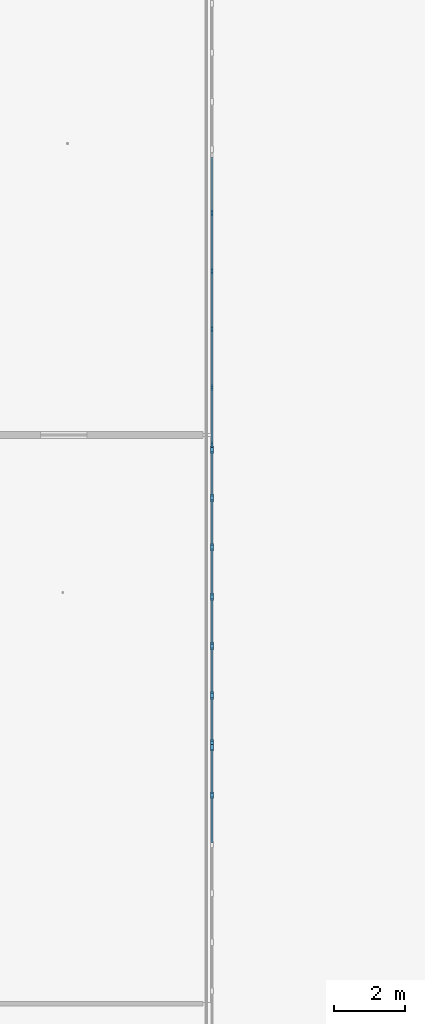
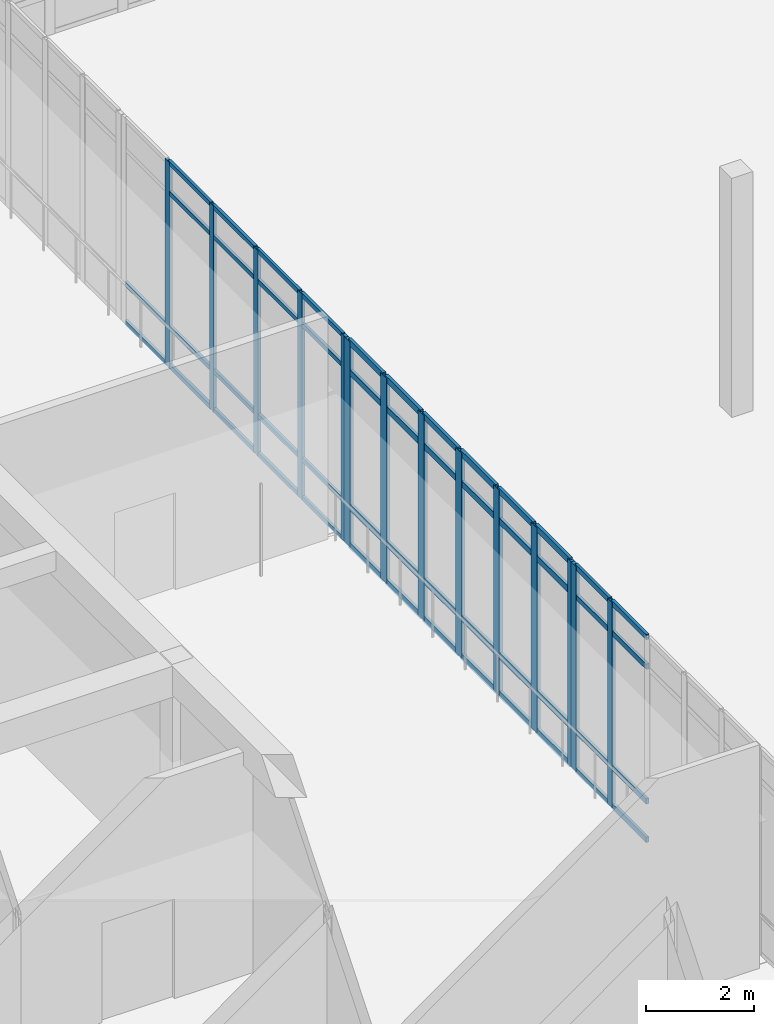
# One storey, part 23 of 157: 64 members, 3 elements without a shape of their own.
"""IFC4 building model written with IfcOpenShell, lengths in metres."""

import ifcopenshell
import ifcopenshell.guid

model = None  # the IFC model being written
_history = None  # IfcOwnerHistory: only IFC2X3 demands one
_inside = {}  # id of a spatial element -> (the spatial element, [elements in it])
_under = {}  # id of a project, library or spatial element -> (it, [spatial elements below it])
_declared = {}  # id of a project -> (the project, [libraries it declares])
_typed = {}  # id of a type object -> (the type object, [elements of that type])
_made_of = {}  # id of a material, layer set ... -> (it, [elements and type objects made of it])


def new_model(schema):
    """Start an empty IFC model of exactly this schema.

    Asked for "IFC4X3", IfcOpenShell would pick the latest addendum, in which some entities
    have other attributes; the version numbers below select the first issue.
    IFC2X3 requires an IfcOwnerHistory on every rooted entity: one is made here for all.
    """
    global model, _history
    if schema == "IFC4X3":
        model = ifcopenshell.file(schema_version=(4, 3, 0, 0))
    else:
        model = ifcopenshell.file(schema=schema)
    _inside.clear()
    _under.clear()
    _declared.clear()
    _typed.clear()
    _made_of.clear()
    _history = None
    if model.schema == "IFC2X3":
        org = make("IfcOrganization", Name="unknown")
        user = make(
            "IfcPersonAndOrganization",
            ThePerson=make("IfcPerson", FamilyName="unknown"),
            TheOrganization=org,
        )
        app = make(
            "IfcApplication",
            ApplicationDeveloper=org,
            Version="unknown",
            ApplicationFullName="unknown",
            ApplicationIdentifier="unknown",
        )
        _history = make(
            "IfcOwnerHistory",
            OwningUser=user,
            OwningApplication=app,
            ChangeAction="ADDED",
            CreationDate=0,
        )
    return model


def make(cls, **values):
    """One entity of the class cls with the attributes given. An attribute that is None is left unset."""
    return model.create_entity(
        cls, **{name: value for name, value in values.items() if value is not None}
    )


def rooted(cls, **values):
    """An entity with a GlobalId (a new one), such as an element, a storey or a relation."""
    return make(cls, GlobalId=ifcopenshell.guid.new(), OwnerHistory=_history, **values)


def si_unit(unit_type, name, prefix=None):
    """IfcSIUnit, for example si_unit("LENGTHUNIT", "METRE", prefix="MILLI")."""
    return make("IfcSIUnit", UnitType=unit_type, Prefix=prefix, Name=name)


def assignment(units):
    """IfcUnitAssignment: the units of a project."""
    return None if units is None else make("IfcUnitAssignment", Units=units)


def point(xyz):
    """IfcCartesianPoint."""
    return None if xyz is None else make("IfcCartesianPoint", Coordinates=xyz)


def direction(xyz):
    """IfcDirection."""
    return None if xyz is None else make("IfcDirection", DirectionRatios=xyz)


def frame(location, z_axis=None, x_axis=None):
    """IfcAxis2Placement3D, a coordinate frame: its origin and axes. An axis left out is left unset."""
    return make(
        "IfcAxis2Placement3D",
        Location=point(location),
        Axis=direction(z_axis),
        RefDirection=direction(x_axis),
    )


def frame_2d(location, x_axis=None):
    """IfcAxis2Placement2D, a coordinate frame in the plane: its origin and x axis."""
    return make(
        "IfcAxis2Placement2D", Location=point(location), RefDirection=direction(x_axis)
    )


def origin():
    """The frame at (0, 0, 0) with its axes left unset."""
    return frame((0.0, 0.0, 0.0))


def origin_2d():
    """The frame at (0, 0) in the plane with its x axis left unset."""
    return frame_2d((0.0, 0.0))


def place(relative_to, where):
    """IfcLocalPlacement: puts the frame where relative to a parent placement (None: the world)."""
    return make(
        "IfcLocalPlacement", PlacementRelTo=relative_to, RelativePlacement=where
    )


def context(
    kind, dimensions, precision=None, world=None, true_north=None, identifier=None
):
    """IfcGeometricRepresentationContext, for example the 3D "Model" context."""
    return make(
        "IfcGeometricRepresentationContext",
        ContextIdentifier=identifier,
        ContextType=kind,
        CoordinateSpaceDimension=dimensions,
        Precision=precision,
        WorldCoordinateSystem=world,
        TrueNorth=true_north,
    )


def subcontext(parent, identifier, kind, view, scale=None):
    """IfcGeometricRepresentationSubContext, for example "Body" below "Model"."""
    return make(
        "IfcGeometricRepresentationSubContext",
        ContextIdentifier=identifier,
        ContextType=kind,
        ParentContext=parent,
        TargetScale=scale,
        TargetView=view,
    )


def project(units=None, contexts=None):
    """IfcProject with its units and contexts."""
    return rooted(
        "IfcProject",
        Name="project",
        RepresentationContexts=contexts,
        UnitsInContext=assignment(units),
    )


def spatial(cls, under=None, at=None, **own):
    """A site, building, storey or space (cls), placed at a placement, below another one or the project."""
    s = rooted(cls, ObjectPlacement=at, **own)
    if under is not None:
        _under.setdefault(under.id(), (under, []))[1].append(s)
    return s


def profile(cls, at=None, kind="AREA", **sizes):
    """A parametric profile (cls). Its sizes go by their IFC names, for example OverallWidth=200.0."""
    return make(cls, ProfileType=kind, Position=at, **sizes)


def rectangle(**sizes):
    """IfcRectangleProfileDef."""
    return profile("IfcRectangleProfileDef", **sizes)


def extrude(swept, where, along, depth):
    """IfcExtrudedAreaSolid: the profile swept, set in the frame where, extruded along a direction by depth."""
    return make(
        "IfcExtrudedAreaSolid",
        SweptArea=swept,
        Position=where,
        ExtrudedDirection=direction(along),
        Depth=depth,
    )


def shape(context_of_items, identifier, shape_type, items):
    """IfcShapeRepresentation: the items that make up one representation, for example the "Body"."""
    return make(
        "IfcShapeRepresentation",
        ContextOfItems=context_of_items,
        RepresentationIdentifier=identifier,
        RepresentationType=shape_type,
        Items=items,
    )


def material(Name=None, Category=None):
    """IfcMaterial."""
    return make("IfcMaterial", Name=Name, Category=Category)


def material_profile(
    of_material, cross_section, Name=None, Category=None, Priority=None
):
    """IfcMaterialProfile: a cross section and its material."""
    return make(
        "IfcMaterialProfile",
        Name=Name,
        Material=of_material,
        Profile=cross_section,
        Priority=Priority,
        Category=Category,
    )


def profile_set(profiles, Name=None, composite=None):
    """IfcMaterialProfileSet."""
    return make(
        "IfcMaterialProfileSet",
        Name=Name,
        MaterialProfiles=profiles,
        CompositeProfile=composite,
    )


def made_of(thing, what):
    """Note that an element or type object is made of a material, layer set ...; save() writes the relation."""
    if what is not None:
        _made_of.setdefault(what.id(), (what, []))[1].append(thing)
    return thing


def type_object(cls, material=None, **own):
    """A type object (cls), such as IfcWallType, which elements share."""
    return made_of(rooted(cls, **own), material)


def element(
    cls,
    number,
    at=None,
    inside=None,
    cuts=None,
    type_object=None,
    material=None,
    context=None,
    identifier="Body",
    shape_type=None,
    held_by="IfcProductDefinitionShape",
    body=None,
    shapes=None,
    **own,
):
    """One element of the class cls, such as IfcWall. Its Tag is "e" and its number.

    at: its placement. inside: the storey or other place that contains it. cuts: it is an
    opening in that element (IfcRelVoidsElement). A single representation is given by context,
    identifier, shape_type and body (its items); several are given by shapes. held_by: the class
    of the entity that holds the representations. save() writes the other relations.
    """
    e = rooted(cls, Tag="e%d" % number, ObjectPlacement=at, **own)
    if body is not None:
        shapes = [shape(context, identifier, shape_type, body)]
    if shapes is not None:
        e.Representation = make(held_by, Representations=shapes)
    if inside is not None:
        _inside.setdefault(inside.id(), (inside, []))[1].append(e)
    if cuts is not None:
        rooted(
            "IfcRelVoidsElement", RelatingBuildingElement=cuts, RelatedOpeningElement=e
        )
    if type_object is not None:
        _typed.setdefault(type_object.id(), (type_object, []))[1].append(e)
    return made_of(e, material)


def aggregate(whole, parts):
    """IfcRelAggregates: a whole, such as a stair, and the parts it consists of."""
    return rooted("IfcRelAggregates", RelatingObject=whole, RelatedObjects=parts)


def save(model, path):
    """Write the relations noted so far, then the file.

    IfcRelAggregates (storeys below a building ...), IfcRelContainedInSpatialStructure (elements
    in a storey), IfcRelDefinesByType, IfcRelAssociatesMaterial and IfcRelDeclares: one each for
    every whole, place, type object, material and project.
    """
    for whole, parts in _under.values():
        aggregate(whole, parts)
    for where, things in _inside.values():
        rooted(
            "IfcRelContainedInSpatialStructure",
            RelatedElements=things,
            RelatingStructure=where,
        )
    for kind, things in _typed.values():
        rooted("IfcRelDefinesByType", RelatedObjects=things, RelatingType=kind)
    for what, things in _made_of.values():
        rooted("IfcRelAssociatesMaterial", RelatedObjects=things, RelatingMaterial=what)
    for by, libraries in _declared.values():
        rooted("IfcRelDeclares", RelatingContext=by, RelatedDefinitions=libraries)
    model.write(path)


model = new_model("IFC4")

# Units and contexts
model_context = context("Model", 3, precision=1e-05, world=origin(), true_north=direction((0.0, 1.0)))
body_context = subcontext(model_context, "Body", "Model", "MODEL_VIEW")
ifc_project = project(units=[si_unit("LENGTHUNIT", "METRE"), si_unit("AREAUNIT", "SQUARE_METRE"), si_unit("VOLUMEUNIT", "CUBIC_METRE"), si_unit("PLANEANGLEUNIT", "RADIAN"), si_unit("MASSUNIT", "GRAM", prefix="KILO")], contexts=[model_context])

# Site, building, storey
site_placement = place(None, origin())
site = spatial("IfcSite", under=ifc_project, at=site_placement, CompositionType="ELEMENT")
building_placement = place(site_placement, origin())
building = spatial("IfcBuilding", under=site, at=building_placement, Name="Varncliffe General Hospital", CompositionType="ELEMENT")
storey_placement = place(building_placement, frame((0.0, 0.0, 5.39990234375)))
storey = spatial("IfcBuildingStorey", under=building, at=storey_placement, Name="L01", CompositionType="ELEMENT", Elevation=5.39990234375)

# Curtain wall, members
ifc_material_1 = material(Name="Triple low-E argon insulated vision glazing", Category="glass")
curtain_wall_type_1 = type_object("IfcCurtainWallType", Name="Unitised Glazed Curtain Wall CW14 (8260x4640)", PredefinedType="USERDEFINED", material=ifc_material_1)
curtain_wall_1_placement = place(storey_placement, origin())
curtain_wall_1 = element("IfcCurtainWall", 1, at=curtain_wall_1_placement, inside=storey, type_object=curtain_wall_type_1, Name="L01 Glazed Curtain Wall CW14-109", ObjectType="GLAZED CURTAIN WALL", PredefinedType="USERDEFINED")
ifc_material_2 = material(Name="Dark bronze thermally broken aluminium framing", Category="aluminium")
ifc_material_profile_1 = material_profile(ifc_material_2, rectangle(XDim=0.074951171875, YDim=0.179931640625, at=origin_2d()), Name="ALU 75x180")
ifc_profile_set_1 = profile_set([ifc_material_profile_1], Name="Dark bronze thermally broken aluminium framing")
member_type_1 = type_object("IfcMemberType", Name="Curtain Wall Mullion CM44 (ALU 75x180)", PredefinedType="MULLION", material=ifc_profile_set_1)
member_1_placement = place(storey_placement, frame((67.199951171875, 32.203369140625, 0.0), z_axis=(0.0, 0.0, 1.0), x_axis=(1.0, 0.0, 0.0)))
member_1 = element("IfcMember", 2, at=member_1_placement, type_object=member_type_1, Name="CW14 mullion 1", PredefinedType="MULLION", context=body_context, shape_type="SweptSolid", body=[
    extrude(rectangle(XDim=0.074951171875, YDim=0.179931640625, at=origin_2d()), origin(), (0.0, 0.0, 1.0), 4.64013671875),
])
member_2_placement = place(storey_placement, frame((67.199951171875, 30.864013671875, 0.0), z_axis=(0.0, 0.0, 1.0), x_axis=(1.0, 0.0, 0.0)))
member_2 = element("IfcMember", 3, at=member_2_placement, type_object=member_type_1, Name="CW14 mullion 2", PredefinedType="MULLION", context=body_context, shape_type="SweptSolid", body=[
    extrude(rectangle(XDim=0.074951171875, YDim=0.179931640625, at=origin_2d()), origin(), (0.0, 0.0, 1.0), 4.64013671875),
])

curtain_wall_type_2 = type_object("IfcCurtainWallType", Name="Unitised Glazed Curtain Wall CW16 (8180x4640)", PredefinedType="USERDEFINED", material=ifc_material_1)
curtain_wall_2_placement = place(storey_placement, origin())
curtain_wall_2 = element("IfcCurtainWall", 4, at=curtain_wall_2_placement, inside=storey, type_object=curtain_wall_type_2, Name="L01 Glazed Curtain Wall CW16-107", ObjectType="GLAZED CURTAIN WALL", PredefinedType="USERDEFINED")
ifc_material_profile_2 = material_profile(ifc_material_2, rectangle(XDim=0.06494140625, YDim=0.159912109375, at=origin_2d()), Name="ALU 65x160")
ifc_profile_set_2 = profile_set([ifc_material_profile_2], Name="Dark bronze thermally broken aluminium framing")
member_type_2 = type_object("IfcMemberType", Name="Curtain Wall Mullion CM65 (ALU 65x160)", PredefinedType="MULLION", material=ifc_profile_set_2)
member_3_placement = place(storey_placement, frame((67.199951171875, 47.24560546875, 0.0), z_axis=(0.0, 0.0, 1.0), x_axis=(1.0, 0.0, 0.0)))
member_3 = element("IfcMember", 5, at=member_3_placement, type_object=member_type_2, Name="CW16 mullion 2", PredefinedType="MULLION", context=body_context, shape_type="SweptSolid", body=[
    extrude(rectangle(XDim=0.06494140625, YDim=0.159912109375, at=origin_2d()), origin(), (0.0, 0.0, 1.0), 4.64013671875),
])
member_4_placement = place(storey_placement, frame((67.199951171875, 45.609375, 0.0), z_axis=(0.0, 0.0, 1.0), x_axis=(1.0, 0.0, 0.0)))
member_4 = element("IfcMember", 6, at=member_4_placement, type_object=member_type_2, Name="CW16 mullion 3", PredefinedType="MULLION", context=body_context, shape_type="SweptSolid", body=[
    extrude(rectangle(XDim=0.06494140625, YDim=0.159912109375, at=origin_2d()), origin(), (0.0, 0.0, 1.0), 4.64013671875),
])
member_5_placement = place(storey_placement, frame((67.199951171875, 43.973388671875, 0.0), z_axis=(0.0, 0.0, 1.0), x_axis=(1.0, 0.0, 0.0)))
member_5 = element("IfcMember", 7, at=member_5_placement, type_object=member_type_2, Name="CW16 mullion 4", PredefinedType="MULLION", context=body_context, shape_type="SweptSolid", body=[
    extrude(rectangle(XDim=0.06494140625, YDim=0.159912109375, at=origin_2d()), origin(), (0.0, 0.0, 1.0), 4.64013671875),
])
member_6_placement = place(storey_placement, frame((67.199951171875, 42.337158203125, 0.0), z_axis=(0.0, 0.0, 1.0), x_axis=(1.0, 0.0, 0.0)))
member_6 = element("IfcMember", 8, at=member_6_placement, type_object=member_type_2, Name="CW16 mullion 5", PredefinedType="MULLION", context=body_context, shape_type="SweptSolid", body=[
    extrude(rectangle(XDim=0.06494140625, YDim=0.159912109375, at=origin_2d()), origin(), (0.0, 0.0, 1.0), 4.64013671875),
])
member_7_placement = place(storey_placement, frame((67.199951171875, 40.733642578125, 0.0), z_axis=(0.0, 0.0, 1.0), x_axis=(1.0, 0.0, 0.0)))
member_7 = element("IfcMember", 9, at=member_7_placement, type_object=member_type_2, Name="CW16 mullion 6", PredefinedType="MULLION", context=body_context, shape_type="SweptSolid", body=[
    extrude(rectangle(XDim=0.06494140625, YDim=0.159912109375, at=origin_2d()), origin(), (0.0, 0.0, 1.0), 4.64013671875),
])

curtain_wall_type_3 = type_object("IfcCurtainWallType", Name="Unitised Glazed Curtain Wall CW86 (8340x4640)", PredefinedType="USERDEFINED", material=ifc_material_1)
curtain_wall_3_placement = place(storey_placement, origin())
curtain_wall_3 = element("IfcCurtainWall", 10, at=curtain_wall_3_placement, inside=storey, type_object=curtain_wall_type_3, Name="L01 Glazed Curtain Wall CW86-108", ObjectType="GLAZED CURTAIN WALL", PredefinedType="USERDEFINED")
ifc_material_profile_3 = material_profile(ifc_material_2, rectangle(XDim=0.074951171875, YDim=0.219970703125, at=origin_2d()), Name="ALU 75x220")
ifc_profile_set_3 = profile_set([ifc_material_profile_3], Name="Dark bronze thermally broken aluminium framing")
member_type_3 = type_object("IfcMemberType", Name="Curtain Wall Mullion CM74 (ALU 75x220)", PredefinedType="MULLION", material=ifc_profile_set_3)
member_8_placement = place(storey_placement, frame((67.199951171875, 40.583740234375, 0.0), z_axis=(0.0, 0.0, 1.0), x_axis=(1.0, 0.0, 0.0)))
member_8 = element("IfcMember", 11, at=member_8_placement, type_object=member_type_3, Name="CW86 mullion 1", PredefinedType="MULLION", context=body_context, shape_type="SweptSolid", body=[
    extrude(rectangle(XDim=0.074951171875, YDim=0.219970703125, at=origin_2d()), origin(), (0.0, 0.0, 1.0), 4.64013671875),
])
member_9_placement = place(storey_placement, frame((67.199951171875, 39.231201171875, 0.0), z_axis=(0.0, 0.0, 1.0), x_axis=(1.0, 0.0, 0.0)))
member_9 = element("IfcMember", 12, at=member_9_placement, type_object=member_type_3, Name="CW86 mullion 2", PredefinedType="MULLION", context=body_context, shape_type="SweptSolid", body=[
    extrude(rectangle(XDim=0.074951171875, YDim=0.219970703125, at=origin_2d()), origin(), (0.0, 0.0, 1.0), 4.64013671875),
])
member_10_placement = place(storey_placement, frame((67.199951171875, 37.841064453125, 0.0), z_axis=(0.0, 0.0, 1.0), x_axis=(1.0, 0.0, 0.0)))
member_10 = element("IfcMember", 13, at=member_10_placement, type_object=member_type_3, Name="CW86 mullion 3", PredefinedType="MULLION", context=body_context, shape_type="SweptSolid", body=[
    extrude(rectangle(XDim=0.074951171875, YDim=0.219970703125, at=origin_2d()), origin(), (0.0, 0.0, 1.0), 4.64013671875),
])
member_11_placement = place(storey_placement, frame((67.199951171875, 36.450927734375, 0.0), z_axis=(0.0, 0.0, 1.0), x_axis=(1.0, 0.0, 0.0)))
member_11 = element("IfcMember", 14, at=member_11_placement, type_object=member_type_3, Name="CW86 mullion 4", PredefinedType="MULLION", context=body_context, shape_type="SweptSolid", body=[
    extrude(rectangle(XDim=0.074951171875, YDim=0.219970703125, at=origin_2d()), origin(), (0.0, 0.0, 1.0), 4.64013671875),
])
member_12_placement = place(storey_placement, frame((67.199951171875, 35.06103515625, 0.0), z_axis=(0.0, 0.0, 1.0), x_axis=(1.0, 0.0, 0.0)))
member_12 = element("IfcMember", 15, at=member_12_placement, type_object=member_type_3, Name="CW86 mullion 5", PredefinedType="MULLION", context=body_context, shape_type="SweptSolid", body=[
    extrude(rectangle(XDim=0.074951171875, YDim=0.219970703125, at=origin_2d()), origin(), (0.0, 0.0, 1.0), 4.64013671875),
])
member_13_placement = place(storey_placement, frame((67.199951171875, 33.6708984375, 0.0), z_axis=(0.0, 0.0, 1.0), x_axis=(1.0, 0.0, 0.0)))
member_13 = element("IfcMember", 16, at=member_13_placement, type_object=member_type_3, Name="CW86 mullion 6", PredefinedType="MULLION", context=body_context, shape_type="SweptSolid", body=[
    extrude(rectangle(XDim=0.074951171875, YDim=0.219970703125, at=origin_2d()), origin(), (0.0, 0.0, 1.0), 4.64013671875),
])
member_14_placement = place(storey_placement, frame((67.199951171875, 32.318359375, 0.0), z_axis=(0.0, 0.0, 1.0), x_axis=(1.0, 0.0, 0.0)))
member_14 = element("IfcMember", 17, at=member_14_placement, type_object=member_type_3, Name="CW86 mullion 7", PredefinedType="MULLION", context=body_context, shape_type="SweptSolid", body=[
    extrude(rectangle(XDim=0.074951171875, YDim=0.219970703125, at=origin_2d()), origin(), (0.0, 0.0, 1.0), 4.64013671875),
])

# Member
ifc_material_profile_4 = material_profile(ifc_material_2, rectangle(XDim=0.06005859375, YDim=0.1201171875, at=origin_2d()), Name="ALU 60x120")
ifc_profile_set_4 = profile_set([ifc_material_profile_4], Name="Dark bronze thermally broken aluminium framing")
member_type_4 = type_object("IfcMemberType", Name="Curtain Wall Transom CT14 (ALU 60x120)", PredefinedType="USERDEFINED", material=ifc_profile_set_4)
member_15_placement = place(storey_placement, frame((67.199951171875, 32.165771484375, 0.030029296875), z_axis=(0.0, -1.0, 0.0), x_axis=(1.0, 0.0, 0.0)))
member_15 = element("IfcMember", 18, at=member_15_placement, type_object=member_type_4, Name="CW14 transom 1.1", ObjectType="TRANSOM", PredefinedType="USERDEFINED", context=body_context, shape_type="SweptSolid", body=[
    extrude(rectangle(XDim=0.06005859375, YDim=0.1201171875, at=origin_2d()), origin(), (0.0, 0.0, 1.0), 1.26416015625),
])

member_16_placement = place(storey_placement, frame((67.199951171875, 32.165771484375, 0.900146484375), z_axis=(0.0, -1.0, 0.0), x_axis=(1.0, 0.0, 0.0)))
member_16 = element("IfcMember", 19, at=member_16_placement, type_object=member_type_4, Name="CW14 transom 1.2", ObjectType="TRANSOM", PredefinedType="USERDEFINED", context=body_context, shape_type="SweptSolid", body=[
    extrude(rectangle(XDim=0.06005859375, YDim=0.1201171875, at=origin_2d()), origin(), (0.0, 0.0, 1.0), 1.26416015625),
])

member_17_placement = place(storey_placement, frame((67.199951171875, 32.165771484375, 3.940185546875), z_axis=(0.0, -1.0, 0.0), x_axis=(1.0, 0.0, 0.0)))
member_17 = element("IfcMember", 20, at=member_17_placement, type_object=member_type_4, Name="CW14 transom 1.3", ObjectType="TRANSOM", PredefinedType="USERDEFINED", context=body_context, shape_type="SweptSolid", body=[
    extrude(rectangle(XDim=0.06005859375, YDim=0.1201171875, at=origin_2d()), origin(), (0.0, 0.0, 1.0), 1.26416015625),
])

member_18_placement = place(storey_placement, frame((67.199951171875, 32.165771484375, 4.610107421875), z_axis=(0.0, -1.0, 0.0), x_axis=(1.0, 0.0, 0.0)))
member_18 = element("IfcMember", 21, at=member_18_placement, type_object=member_type_4, Name="CW14 transom 1.4", ObjectType="TRANSOM", PredefinedType="USERDEFINED", context=body_context, shape_type="SweptSolid", body=[
    extrude(rectangle(XDim=0.06005859375, YDim=0.1201171875, at=origin_2d()), origin(), (0.0, 0.0, 1.0), 1.26416015625),
])

member_19_placement = place(storey_placement, frame((67.199951171875, 30.82666015625, 0.030029296875), z_axis=(0.0, -1.0, 0.0), x_axis=(1.0, 0.0, 0.0)))
member_19 = element("IfcMember", 22, at=member_19_placement, type_object=member_type_4, Name="CW14 transom 2.1", ObjectType="TRANSOM", PredefinedType="USERDEFINED", context=body_context, shape_type="SweptSolid", body=[
    extrude(rectangle(XDim=0.06005859375, YDim=0.1201171875, at=origin_2d()), origin(), (0.0, 0.0, 1.0), 1.3017578125),
])

member_20_placement = place(storey_placement, frame((67.199951171875, 30.82666015625, 0.900146484375), z_axis=(0.0, -1.0, 0.0), x_axis=(1.0, 0.0, 0.0)))
member_20 = element("IfcMember", 23, at=member_20_placement, type_object=member_type_4, Name="CW14 transom 2.2", ObjectType="TRANSOM", PredefinedType="USERDEFINED", context=body_context, shape_type="SweptSolid", body=[
    extrude(rectangle(XDim=0.06005859375, YDim=0.1201171875, at=origin_2d()), origin(), (0.0, 0.0, 1.0), 1.3017578125),
])

member_21_placement = place(storey_placement, frame((67.199951171875, 30.82666015625, 3.940185546875), z_axis=(0.0, -1.0, 0.0), x_axis=(1.0, 0.0, 0.0)))
member_21 = element("IfcMember", 24, at=member_21_placement, type_object=member_type_4, Name="CW14 transom 2.3", ObjectType="TRANSOM", PredefinedType="USERDEFINED", context=body_context, shape_type="SweptSolid", body=[
    extrude(rectangle(XDim=0.06005859375, YDim=0.1201171875, at=origin_2d()), origin(), (0.0, 0.0, 1.0), 1.3017578125),
])

member_22_placement = place(storey_placement, frame((67.199951171875, 30.82666015625, 4.610107421875), z_axis=(0.0, -1.0, 0.0), x_axis=(1.0, 0.0, 0.0)))
member_22 = element("IfcMember", 25, at=member_22_placement, type_object=member_type_4, Name="CW14 transom 2.4", ObjectType="TRANSOM", PredefinedType="USERDEFINED", context=body_context, shape_type="SweptSolid", body=[
    extrude(rectangle(XDim=0.06005859375, YDim=0.1201171875, at=origin_2d()), origin(), (0.0, 0.0, 1.0), 1.3017578125),
])

aggregate(curtain_wall_1, [member_1, member_2, member_15, member_16, member_17, member_18, member_19, member_20, member_21, member_22])

ifc_material_profile_5 = material_profile(ifc_material_2, rectangle(XDim=0.06005859375, YDim=0.10009765625, at=origin_2d()), Name="ALU 60x100")
ifc_profile_set_5 = profile_set([ifc_material_profile_5], Name="Dark bronze thermally broken aluminium framing")
member_type_5 = type_object("IfcMemberType", Name="Curtain Wall Transom CT18 (ALU 60x100)", PredefinedType="USERDEFINED", material=ifc_profile_set_5)
member_23_placement = place(storey_placement, frame((67.199951171875, 48.816650390625, 0.030029296875), z_axis=(0.0, -1.0, 0.0), x_axis=(1.0, 0.0, 0.0)))
member_23 = element("IfcMember", 26, at=member_23_placement, type_object=member_type_5, Name="CW16 transom 1.1", ObjectType="TRANSOM", PredefinedType="USERDEFINED", context=body_context, shape_type="SweptSolid", body=[
    extrude(rectangle(XDim=0.06005859375, YDim=0.10009765625, at=origin_2d()), origin(), (0.0, 0.0, 1.0), 1.53857421875),
])

member_24_placement = place(storey_placement, frame((67.199951171875, 48.816650390625, 0.900146484375), z_axis=(0.0, -1.0, 0.0), x_axis=(1.0, 0.0, 0.0)))
member_24 = element("IfcMember", 27, at=member_24_placement, type_object=member_type_5, Name="CW16 transom 1.2", ObjectType="TRANSOM", PredefinedType="USERDEFINED", context=body_context, shape_type="SweptSolid", body=[
    extrude(rectangle(XDim=0.06005859375, YDim=0.10009765625, at=origin_2d()), origin(), (0.0, 0.0, 1.0), 1.53857421875),
])

member_25_placement = place(storey_placement, frame((67.199951171875, 47.213134765625, 0.030029296875), z_axis=(0.0, -1.0, 0.0), x_axis=(1.0, 0.0, 0.0)))
member_25 = element("IfcMember", 28, at=member_25_placement, type_object=member_type_5, Name="CW16 transom 2.1", ObjectType="TRANSOM", PredefinedType="USERDEFINED", context=body_context, shape_type="SweptSolid", body=[
    extrude(rectangle(XDim=0.06005859375, YDim=0.10009765625, at=origin_2d()), origin(), (0.0, 0.0, 1.0), 1.5712890625),
])

member_26_placement = place(storey_placement, frame((67.199951171875, 47.213134765625, 0.900146484375), z_axis=(0.0, -1.0, 0.0), x_axis=(1.0, 0.0, 0.0)))
member_26 = element("IfcMember", 29, at=member_26_placement, type_object=member_type_5, Name="CW16 transom 2.2", ObjectType="TRANSOM", PredefinedType="USERDEFINED", context=body_context, shape_type="SweptSolid", body=[
    extrude(rectangle(XDim=0.06005859375, YDim=0.10009765625, at=origin_2d()), origin(), (0.0, 0.0, 1.0), 1.5712890625),
])

member_27_placement = place(storey_placement, frame((67.199951171875, 47.213134765625, 3.940185546875), z_axis=(0.0, -1.0, 0.0), x_axis=(1.0, 0.0, 0.0)))
member_27 = element("IfcMember", 30, at=member_27_placement, type_object=member_type_5, Name="CW16 transom 2.3", ObjectType="TRANSOM", PredefinedType="USERDEFINED", context=body_context, shape_type="SweptSolid", body=[
    extrude(rectangle(XDim=0.06005859375, YDim=0.10009765625, at=origin_2d()), origin(), (0.0, 0.0, 1.0), 1.5712890625),
])

member_28_placement = place(storey_placement, frame((67.199951171875, 47.213134765625, 4.610107421875), z_axis=(0.0, -1.0, 0.0), x_axis=(1.0, 0.0, 0.0)))
member_28 = element("IfcMember", 31, at=member_28_placement, type_object=member_type_5, Name="CW16 transom 2.4", ObjectType="TRANSOM", PredefinedType="USERDEFINED", context=body_context, shape_type="SweptSolid", body=[
    extrude(rectangle(XDim=0.06005859375, YDim=0.10009765625, at=origin_2d()), origin(), (0.0, 0.0, 1.0), 1.5712890625),
])

member_29_placement = place(storey_placement, frame((67.199951171875, 45.576904296875, 0.030029296875), z_axis=(0.0, -1.0, 0.0), x_axis=(1.0, 0.0, 0.0)))
member_29 = element("IfcMember", 32, at=member_29_placement, type_object=member_type_5, Name="CW16 transom 3.1", ObjectType="TRANSOM", PredefinedType="USERDEFINED", context=body_context, shape_type="SweptSolid", body=[
    extrude(rectangle(XDim=0.06005859375, YDim=0.10009765625, at=origin_2d()), origin(), (0.0, 0.0, 1.0), 1.571044921875),
])

member_30_placement = place(storey_placement, frame((67.199951171875, 45.576904296875, 0.900146484375), z_axis=(0.0, -1.0, 0.0), x_axis=(1.0, 0.0, 0.0)))
member_30 = element("IfcMember", 33, at=member_30_placement, type_object=member_type_5, Name="CW16 transom 3.2", ObjectType="TRANSOM", PredefinedType="USERDEFINED", context=body_context, shape_type="SweptSolid", body=[
    extrude(rectangle(XDim=0.06005859375, YDim=0.10009765625, at=origin_2d()), origin(), (0.0, 0.0, 1.0), 1.571044921875),
])

member_31_placement = place(storey_placement, frame((67.199951171875, 45.576904296875, 3.940185546875), z_axis=(0.0, -1.0, 0.0), x_axis=(1.0, 0.0, 0.0)))
member_31 = element("IfcMember", 34, at=member_31_placement, type_object=member_type_5, Name="CW16 transom 3.3", ObjectType="TRANSOM", PredefinedType="USERDEFINED", context=body_context, shape_type="SweptSolid", body=[
    extrude(rectangle(XDim=0.06005859375, YDim=0.10009765625, at=origin_2d()), origin(), (0.0, 0.0, 1.0), 1.571044921875),
])

member_32_placement = place(storey_placement, frame((67.199951171875, 45.576904296875, 4.610107421875), z_axis=(0.0, -1.0, 0.0), x_axis=(1.0, 0.0, 0.0)))
member_32 = element("IfcMember", 35, at=member_32_placement, type_object=member_type_5, Name="CW16 transom 3.4", ObjectType="TRANSOM", PredefinedType="USERDEFINED", context=body_context, shape_type="SweptSolid", body=[
    extrude(rectangle(XDim=0.06005859375, YDim=0.10009765625, at=origin_2d()), origin(), (0.0, 0.0, 1.0), 1.571044921875),
])

member_33_placement = place(storey_placement, frame((67.199951171875, 43.94091796875, 0.030029296875), z_axis=(0.0, -1.0, 0.0), x_axis=(1.0, 0.0, 0.0)))
member_33 = element("IfcMember", 36, at=member_33_placement, type_object=member_type_5, Name="CW16 transom 4.1", ObjectType="TRANSOM", PredefinedType="USERDEFINED", context=body_context, shape_type="SweptSolid", body=[
    extrude(rectangle(XDim=0.06005859375, YDim=0.10009765625, at=origin_2d()), origin(), (0.0, 0.0, 1.0), 1.571044921875),
])

member_34_placement = place(storey_placement, frame((67.199951171875, 43.94091796875, 0.900146484375), z_axis=(0.0, -1.0, 0.0), x_axis=(1.0, 0.0, 0.0)))
member_34 = element("IfcMember", 37, at=member_34_placement, type_object=member_type_5, Name="CW16 transom 4.2", ObjectType="TRANSOM", PredefinedType="USERDEFINED", context=body_context, shape_type="SweptSolid", body=[
    extrude(rectangle(XDim=0.06005859375, YDim=0.10009765625, at=origin_2d()), origin(), (0.0, 0.0, 1.0), 1.571044921875),
])

member_35_placement = place(storey_placement, frame((67.199951171875, 43.94091796875, 3.940185546875), z_axis=(0.0, -1.0, 0.0), x_axis=(1.0, 0.0, 0.0)))
member_35 = element("IfcMember", 38, at=member_35_placement, type_object=member_type_5, Name="CW16 transom 4.3", ObjectType="TRANSOM", PredefinedType="USERDEFINED", context=body_context, shape_type="SweptSolid", body=[
    extrude(rectangle(XDim=0.06005859375, YDim=0.10009765625, at=origin_2d()), origin(), (0.0, 0.0, 1.0), 1.571044921875),
])

member_36_placement = place(storey_placement, frame((67.199951171875, 43.94091796875, 4.610107421875), z_axis=(0.0, -1.0, 0.0), x_axis=(1.0, 0.0, 0.0)))
member_36 = element("IfcMember", 39, at=member_36_placement, type_object=member_type_5, Name="CW16 transom 4.4", ObjectType="TRANSOM", PredefinedType="USERDEFINED", context=body_context, shape_type="SweptSolid", body=[
    extrude(rectangle(XDim=0.06005859375, YDim=0.10009765625, at=origin_2d()), origin(), (0.0, 0.0, 1.0), 1.571044921875),
])

member_37_placement = place(storey_placement, frame((67.199951171875, 42.3046875, 0.030029296875), z_axis=(0.0, -1.0, 0.0), x_axis=(1.0, 0.0, 0.0)))
member_37 = element("IfcMember", 40, at=member_37_placement, type_object=member_type_5, Name="CW16 transom 5.1", ObjectType="TRANSOM", PredefinedType="USERDEFINED", context=body_context, shape_type="SweptSolid", body=[
    extrude(rectangle(XDim=0.06005859375, YDim=0.10009765625, at=origin_2d()), origin(), (0.0, 0.0, 1.0), 1.53857421875),
])

member_38_placement = place(storey_placement, frame((67.199951171875, 42.3046875, 0.900146484375), z_axis=(0.0, -1.0, 0.0), x_axis=(1.0, 0.0, 0.0)))
member_38 = element("IfcMember", 41, at=member_38_placement, type_object=member_type_5, Name="CW16 transom 5.2", ObjectType="TRANSOM", PredefinedType="USERDEFINED", context=body_context, shape_type="SweptSolid", body=[
    extrude(rectangle(XDim=0.06005859375, YDim=0.10009765625, at=origin_2d()), origin(), (0.0, 0.0, 1.0), 1.53857421875),
])

member_39_placement = place(storey_placement, frame((67.199951171875, 42.3046875, 3.940185546875), z_axis=(0.0, -1.0, 0.0), x_axis=(1.0, 0.0, 0.0)))
member_39 = element("IfcMember", 42, at=member_39_placement, type_object=member_type_5, Name="CW16 transom 5.3", ObjectType="TRANSOM", PredefinedType="USERDEFINED", context=body_context, shape_type="SweptSolid", body=[
    extrude(rectangle(XDim=0.06005859375, YDim=0.10009765625, at=origin_2d()), origin(), (0.0, 0.0, 1.0), 1.53857421875),
])

member_40_placement = place(storey_placement, frame((67.199951171875, 42.3046875, 4.610107421875), z_axis=(0.0, -1.0, 0.0), x_axis=(1.0, 0.0, 0.0)))
member_40 = element("IfcMember", 43, at=member_40_placement, type_object=member_type_5, Name="CW16 transom 5.4", ObjectType="TRANSOM", PredefinedType="USERDEFINED", context=body_context, shape_type="SweptSolid", body=[
    extrude(rectangle(XDim=0.06005859375, YDim=0.10009765625, at=origin_2d()), origin(), (0.0, 0.0, 1.0), 1.53857421875),
])

aggregate(curtain_wall_2, [member_3, member_4, member_5, member_6, member_7, member_23, member_24, member_25, member_26, member_27, member_28, member_29, member_30, member_31, member_32, member_33, member_34, member_35, member_36, member_37, member_38, member_39, member_40])

ifc_material_profile_6 = material_profile(ifc_material_2, rectangle(XDim=0.06494140625, YDim=0.139892578125, at=origin_2d()), Name="ALU 65x140")
ifc_profile_set_6 = profile_set([ifc_material_profile_6], Name="Dark bronze thermally broken aluminium framing")
member_type_6 = type_object("IfcMemberType", Name="Curtain Wall Transom CT69 (ALU 65x140)", PredefinedType="USERDEFINED", material=ifc_profile_set_6)
member_41_placement = place(storey_placement, frame((67.199951171875, 40.546142578125, 0.03271484375), z_axis=(0.0, -1.0, 0.0), x_axis=(1.0, 0.0, 0.0)))
member_41 = element("IfcMember", 44, at=member_41_placement, type_object=member_type_6, Name="CW86 transom 1.1", ObjectType="TRANSOM", PredefinedType="USERDEFINED", context=body_context, shape_type="SweptSolid", body=[
    extrude(rectangle(XDim=0.06494140625, YDim=0.139892578125, at=origin_2d()), origin(), (0.0, 0.0, 1.0), 1.277587890625),
])

member_42_placement = place(storey_placement, frame((67.199951171875, 40.546142578125, 0.900146484375), z_axis=(0.0, -1.0, 0.0), x_axis=(1.0, 0.0, 0.0)))
member_42 = element("IfcMember", 45, at=member_42_placement, type_object=member_type_6, Name="CW86 transom 1.2", ObjectType="TRANSOM", PredefinedType="USERDEFINED", context=body_context, shape_type="SweptSolid", body=[
    extrude(rectangle(XDim=0.06494140625, YDim=0.139892578125, at=origin_2d()), origin(), (0.0, 0.0, 1.0), 1.277587890625),
])

member_43_placement = place(storey_placement, frame((67.199951171875, 40.546142578125, 3.940185546875), z_axis=(0.0, -1.0, 0.0), x_axis=(1.0, 0.0, 0.0)))
member_43 = element("IfcMember", 46, at=member_43_placement, type_object=member_type_6, Name="CW86 transom 1.3", ObjectType="TRANSOM", PredefinedType="USERDEFINED", context=body_context, shape_type="SweptSolid", body=[
    extrude(rectangle(XDim=0.06494140625, YDim=0.139892578125, at=origin_2d()), origin(), (0.0, 0.0, 1.0), 1.277587890625),
])

member_44_placement = place(storey_placement, frame((67.199951171875, 40.546142578125, 4.607666015625), z_axis=(0.0, -1.0, 0.0), x_axis=(1.0, 0.0, 0.0)))
member_44 = element("IfcMember", 47, at=member_44_placement, type_object=member_type_6, Name="CW86 transom 1.4", ObjectType="TRANSOM", PredefinedType="USERDEFINED", context=body_context, shape_type="SweptSolid", body=[
    extrude(rectangle(XDim=0.06494140625, YDim=0.139892578125, at=origin_2d()), origin(), (0.0, 0.0, 1.0), 1.277587890625),
])

member_45_placement = place(storey_placement, frame((67.199951171875, 39.193603515625, 0.03271484375), z_axis=(0.0, -1.0, 0.0), x_axis=(1.0, 0.0, 0.0)))
member_45 = element("IfcMember", 48, at=member_45_placement, type_object=member_type_6, Name="CW86 transom 2.1", ObjectType="TRANSOM", PredefinedType="USERDEFINED", context=body_context, shape_type="SweptSolid", body=[
    extrude(rectangle(XDim=0.06494140625, YDim=0.139892578125, at=origin_2d()), origin(), (0.0, 0.0, 1.0), 1.31494140625),
])

member_46_placement = place(storey_placement, frame((67.199951171875, 39.193603515625, 0.900146484375), z_axis=(0.0, -1.0, 0.0), x_axis=(1.0, 0.0, 0.0)))
member_46 = element("IfcMember", 49, at=member_46_placement, type_object=member_type_6, Name="CW86 transom 2.2", ObjectType="TRANSOM", PredefinedType="USERDEFINED", context=body_context, shape_type="SweptSolid", body=[
    extrude(rectangle(XDim=0.06494140625, YDim=0.139892578125, at=origin_2d()), origin(), (0.0, 0.0, 1.0), 1.31494140625),
])

member_47_placement = place(storey_placement, frame((67.199951171875, 39.193603515625, 3.940185546875), z_axis=(0.0, -1.0, 0.0), x_axis=(1.0, 0.0, 0.0)))
member_47 = element("IfcMember", 50, at=member_47_placement, type_object=member_type_6, Name="CW86 transom 2.3", ObjectType="TRANSOM", PredefinedType="USERDEFINED", context=body_context, shape_type="SweptSolid", body=[
    extrude(rectangle(XDim=0.06494140625, YDim=0.139892578125, at=origin_2d()), origin(), (0.0, 0.0, 1.0), 1.31494140625),
])

member_48_placement = place(storey_placement, frame((67.199951171875, 39.193603515625, 4.607666015625), z_axis=(0.0, -1.0, 0.0), x_axis=(1.0, 0.0, 0.0)))
member_48 = element("IfcMember", 51, at=member_48_placement, type_object=member_type_6, Name="CW86 transom 2.4", ObjectType="TRANSOM", PredefinedType="USERDEFINED", context=body_context, shape_type="SweptSolid", body=[
    extrude(rectangle(XDim=0.06494140625, YDim=0.139892578125, at=origin_2d()), origin(), (0.0, 0.0, 1.0), 1.31494140625),
])

member_49_placement = place(storey_placement, frame((67.199951171875, 37.803466796875, 0.03271484375), z_axis=(0.0, -1.0, 0.0), x_axis=(1.0, 0.0, 0.0)))
member_49 = element("IfcMember", 52, at=member_49_placement, type_object=member_type_6, Name="CW86 transom 3.1", ObjectType="TRANSOM", PredefinedType="USERDEFINED", context=body_context, shape_type="SweptSolid", body=[
    extrude(rectangle(XDim=0.06494140625, YDim=0.139892578125, at=origin_2d()), origin(), (0.0, 0.0, 1.0), 1.31494140625),
])

member_50_placement = place(storey_placement, frame((67.199951171875, 37.803466796875, 0.900146484375), z_axis=(0.0, -1.0, 0.0), x_axis=(1.0, 0.0, 0.0)))
member_50 = element("IfcMember", 53, at=member_50_placement, type_object=member_type_6, Name="CW86 transom 3.2", ObjectType="TRANSOM", PredefinedType="USERDEFINED", context=body_context, shape_type="SweptSolid", body=[
    extrude(rectangle(XDim=0.06494140625, YDim=0.139892578125, at=origin_2d()), origin(), (0.0, 0.0, 1.0), 1.31494140625),
])

member_51_placement = place(storey_placement, frame((67.199951171875, 37.803466796875, 3.940185546875), z_axis=(0.0, -1.0, 0.0), x_axis=(1.0, 0.0, 0.0)))
member_51 = element("IfcMember", 54, at=member_51_placement, type_object=member_type_6, Name="CW86 transom 3.3", ObjectType="TRANSOM", PredefinedType="USERDEFINED", context=body_context, shape_type="SweptSolid", body=[
    extrude(rectangle(XDim=0.06494140625, YDim=0.139892578125, at=origin_2d()), origin(), (0.0, 0.0, 1.0), 1.31494140625),
])

member_52_placement = place(storey_placement, frame((67.199951171875, 37.803466796875, 4.607666015625), z_axis=(0.0, -1.0, 0.0), x_axis=(1.0, 0.0, 0.0)))
member_52 = element("IfcMember", 55, at=member_52_placement, type_object=member_type_6, Name="CW86 transom 3.4", ObjectType="TRANSOM", PredefinedType="USERDEFINED", context=body_context, shape_type="SweptSolid", body=[
    extrude(rectangle(XDim=0.06494140625, YDim=0.139892578125, at=origin_2d()), origin(), (0.0, 0.0, 1.0), 1.31494140625),
])

member_53_placement = place(storey_placement, frame((67.199951171875, 36.41357421875, 0.03271484375), z_axis=(0.0, -1.0, 0.0), x_axis=(1.0, 0.0, 0.0)))
member_53 = element("IfcMember", 56, at=member_53_placement, type_object=member_type_6, Name="CW86 transom 4.1", ObjectType="TRANSOM", PredefinedType="USERDEFINED", context=body_context, shape_type="SweptSolid", body=[
    extrude(rectangle(XDim=0.06494140625, YDim=0.139892578125, at=origin_2d()), origin(), (0.0, 0.0, 1.0), 1.315185546875),
])

member_54_placement = place(storey_placement, frame((67.199951171875, 36.41357421875, 0.900146484375), z_axis=(0.0, -1.0, 0.0), x_axis=(1.0, 0.0, 0.0)))
member_54 = element("IfcMember", 57, at=member_54_placement, type_object=member_type_6, Name="CW86 transom 4.2", ObjectType="TRANSOM", PredefinedType="USERDEFINED", context=body_context, shape_type="SweptSolid", body=[
    extrude(rectangle(XDim=0.06494140625, YDim=0.139892578125, at=origin_2d()), origin(), (0.0, 0.0, 1.0), 1.315185546875),
])

member_55_placement = place(storey_placement, frame((67.199951171875, 36.41357421875, 3.940185546875), z_axis=(0.0, -1.0, 0.0), x_axis=(1.0, 0.0, 0.0)))
member_55 = element("IfcMember", 58, at=member_55_placement, type_object=member_type_6, Name="CW86 transom 4.3", ObjectType="TRANSOM", PredefinedType="USERDEFINED", context=body_context, shape_type="SweptSolid", body=[
    extrude(rectangle(XDim=0.06494140625, YDim=0.139892578125, at=origin_2d()), origin(), (0.0, 0.0, 1.0), 1.315185546875),
])

member_56_placement = place(storey_placement, frame((67.199951171875, 36.41357421875, 4.607666015625), z_axis=(0.0, -1.0, 0.0), x_axis=(1.0, 0.0, 0.0)))
member_56 = element("IfcMember", 59, at=member_56_placement, type_object=member_type_6, Name="CW86 transom 4.4", ObjectType="TRANSOM", PredefinedType="USERDEFINED", context=body_context, shape_type="SweptSolid", body=[
    extrude(rectangle(XDim=0.06494140625, YDim=0.139892578125, at=origin_2d()), origin(), (0.0, 0.0, 1.0), 1.315185546875),
])

member_57_placement = place(storey_placement, frame((67.199951171875, 35.0234375, 0.03271484375), z_axis=(0.0, -1.0, 0.0), x_axis=(1.0, 0.0, 0.0)))
member_57 = element("IfcMember", 60, at=member_57_placement, type_object=member_type_6, Name="CW86 transom 5.1", ObjectType="TRANSOM", PredefinedType="USERDEFINED", context=body_context, shape_type="SweptSolid", body=[
    extrude(rectangle(XDim=0.06494140625, YDim=0.139892578125, at=origin_2d()), origin(), (0.0, 0.0, 1.0), 1.315185546875),
])

member_58_placement = place(storey_placement, frame((67.199951171875, 35.0234375, 0.900146484375), z_axis=(0.0, -1.0, 0.0), x_axis=(1.0, 0.0, 0.0)))
member_58 = element("IfcMember", 61, at=member_58_placement, type_object=member_type_6, Name="CW86 transom 5.2", ObjectType="TRANSOM", PredefinedType="USERDEFINED", context=body_context, shape_type="SweptSolid", body=[
    extrude(rectangle(XDim=0.06494140625, YDim=0.139892578125, at=origin_2d()), origin(), (0.0, 0.0, 1.0), 1.315185546875),
])

member_59_placement = place(storey_placement, frame((67.199951171875, 35.0234375, 3.940185546875), z_axis=(0.0, -1.0, 0.0), x_axis=(1.0, 0.0, 0.0)))
member_59 = element("IfcMember", 62, at=member_59_placement, type_object=member_type_6, Name="CW86 transom 5.3", ObjectType="TRANSOM", PredefinedType="USERDEFINED", context=body_context, shape_type="SweptSolid", body=[
    extrude(rectangle(XDim=0.06494140625, YDim=0.139892578125, at=origin_2d()), origin(), (0.0, 0.0, 1.0), 1.315185546875),
])

member_60_placement = place(storey_placement, frame((67.199951171875, 35.0234375, 4.607666015625), z_axis=(0.0, -1.0, 0.0), x_axis=(1.0, 0.0, 0.0)))
member_60 = element("IfcMember", 63, at=member_60_placement, type_object=member_type_6, Name="CW86 transom 5.4", ObjectType="TRANSOM", PredefinedType="USERDEFINED", context=body_context, shape_type="SweptSolid", body=[
    extrude(rectangle(XDim=0.06494140625, YDim=0.139892578125, at=origin_2d()), origin(), (0.0, 0.0, 1.0), 1.315185546875),
])

member_61_placement = place(storey_placement, frame((67.199951171875, 33.63330078125, 0.03271484375), z_axis=(0.0, -1.0, 0.0), x_axis=(1.0, 0.0, 0.0)))
member_61 = element("IfcMember", 64, at=member_61_placement, type_object=member_type_6, Name="CW86 transom 6.1", ObjectType="TRANSOM", PredefinedType="USERDEFINED", context=body_context, shape_type="SweptSolid", body=[
    extrude(rectangle(XDim=0.06494140625, YDim=0.139892578125, at=origin_2d()), origin(), (0.0, 0.0, 1.0), 1.277587890625),
])

member_62_placement = place(storey_placement, frame((67.199951171875, 33.63330078125, 0.900146484375), z_axis=(0.0, -1.0, 0.0), x_axis=(1.0, 0.0, 0.0)))
member_62 = element("IfcMember", 65, at=member_62_placement, type_object=member_type_6, Name="CW86 transom 6.2", ObjectType="TRANSOM", PredefinedType="USERDEFINED", context=body_context, shape_type="SweptSolid", body=[
    extrude(rectangle(XDim=0.06494140625, YDim=0.139892578125, at=origin_2d()), origin(), (0.0, 0.0, 1.0), 1.277587890625),
])

member_63_placement = place(storey_placement, frame((67.199951171875, 33.63330078125, 3.940185546875), z_axis=(0.0, -1.0, 0.0), x_axis=(1.0, 0.0, 0.0)))
member_63 = element("IfcMember", 66, at=member_63_placement, type_object=member_type_6, Name="CW86 transom 6.3", ObjectType="TRANSOM", PredefinedType="USERDEFINED", context=body_context, shape_type="SweptSolid", body=[
    extrude(rectangle(XDim=0.06494140625, YDim=0.139892578125, at=origin_2d()), origin(), (0.0, 0.0, 1.0), 1.277587890625),
])

member_64_placement = place(storey_placement, frame((67.199951171875, 33.63330078125, 4.607666015625), z_axis=(0.0, -1.0, 0.0), x_axis=(1.0, 0.0, 0.0)))
member_64 = element("IfcMember", 67, at=member_64_placement, type_object=member_type_6, Name="CW86 transom 6.4", ObjectType="TRANSOM", PredefinedType="USERDEFINED", context=body_context, shape_type="SweptSolid", body=[
    extrude(rectangle(XDim=0.06494140625, YDim=0.139892578125, at=origin_2d()), origin(), (0.0, 0.0, 1.0), 1.277587890625),
])

aggregate(curtain_wall_3, [member_8, member_9, member_10, member_11, member_12, member_13, member_14, member_41, member_42, member_43, member_44, member_45, member_46, member_47, member_48, member_49, member_50, member_51, member_52, member_53, member_54, member_55, member_56, member_57, member_58, member_59, member_60, member_61, member_62, member_63, member_64])

save(model, "model.ifc")
